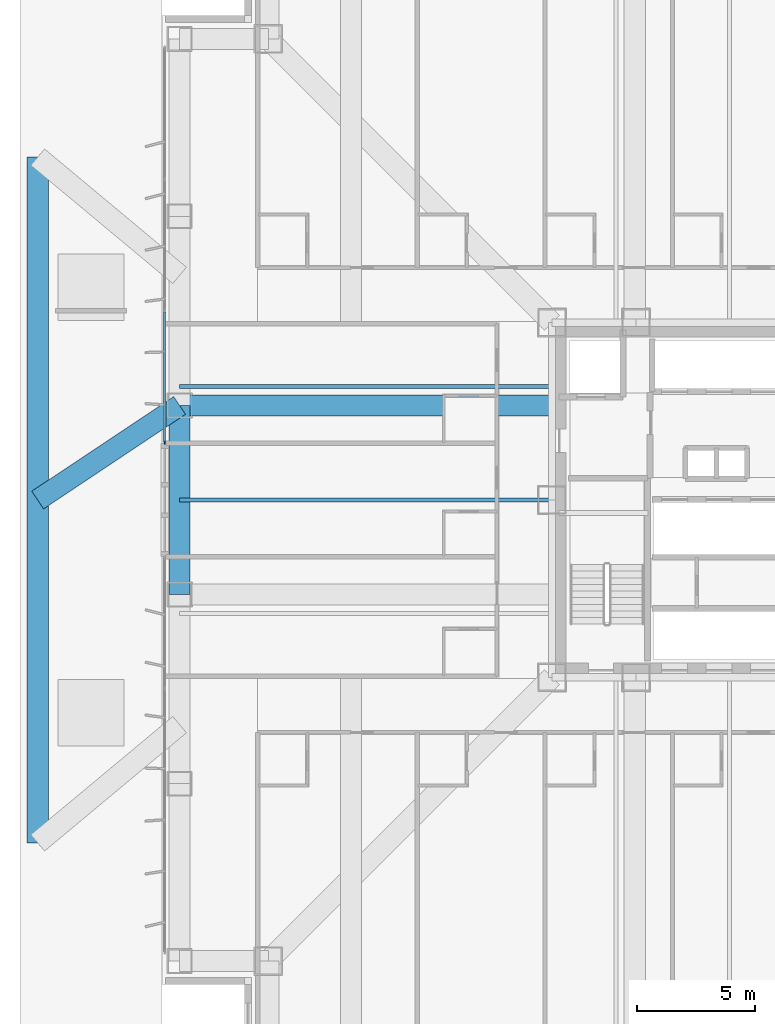
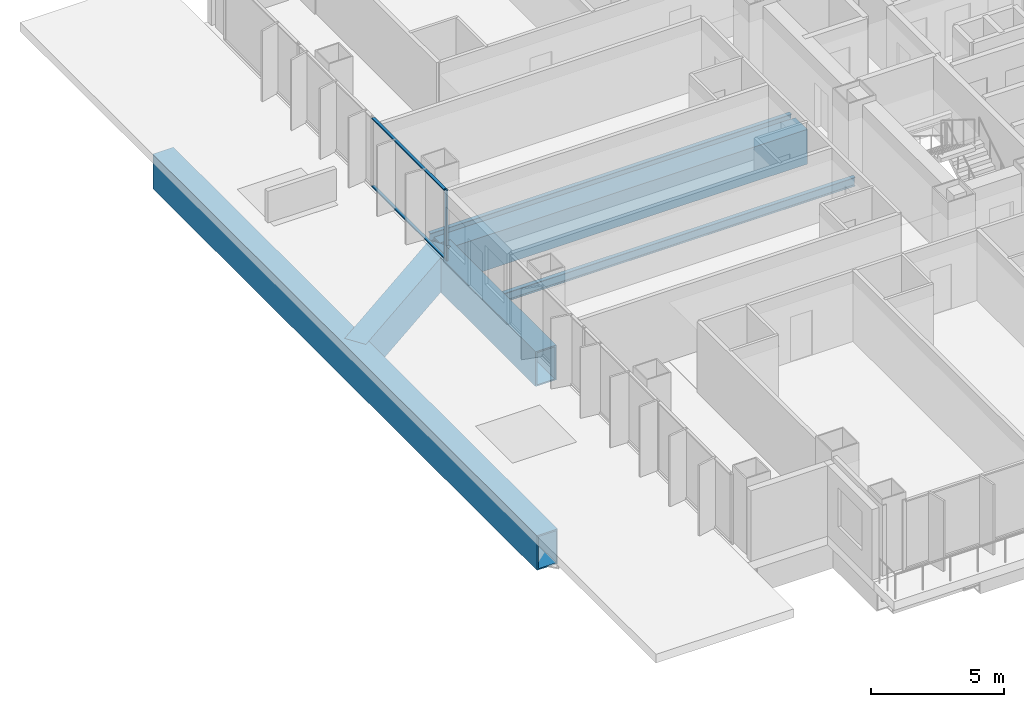
# One storey, part 5 of 24: 6 beams, 3 members, 1 element without a shape of its own.
"""IFC4 building model written with IfcOpenShell, lengths in metres."""

from ifc_helpers import new_model, si_unit, direction, frame, origin, origin_2d, place, context, subcontext, project, spatial, rectangle, hollow_rectangle, i_section, extrude, material, layer, layer_set, material_profile, profile_set, type_object, element, aggregate, save


model = new_model("IFC4")

# Units and contexts
model_context = context("Model", 3, precision=1e-05, world=origin(), true_north=direction((0.0, 1.0)))
body_context = subcontext(model_context, "Body", "Model", "MODEL_VIEW")
ifc_project = project(units=[si_unit("LENGTHUNIT", "METRE"), si_unit("AREAUNIT", "SQUARE_METRE"), si_unit("VOLUMEUNIT", "CUBIC_METRE"), si_unit("PLANEANGLEUNIT", "RADIAN"), si_unit("MASSUNIT", "GRAM", prefix="KILO")], contexts=[model_context])

# Site, building, storey
site_placement = place(None, origin())
site = spatial("IfcSite", under=ifc_project, at=site_placement, CompositionType="ELEMENT")
building_placement = place(site_placement, origin())
building = spatial("IfcBuilding", under=site, at=building_placement, Name="Trevonay Congress Spire", CompositionType="ELEMENT")
storey_placement = place(building_placement, frame((0.0, 0.0, 27.0)))
storey = spatial("IfcBuildingStorey", under=building, at=storey_placement, Name="L05", CompositionType="ELEMENT", Elevation=27.0)

# Beams
ifc_material_1 = material(Name="Steel ASTM A572 Grade 50", Category="steel")
ifc_material_profile_1 = material_profile(ifc_material_1, hollow_rectangle(XDim=0.89990234375, YDim=1.60009765625, WallThickness=0.06005859375, at=origin_2d()), Name="BOX 1600x900x60")
ifc_profile_set_1 = profile_set([ifc_material_profile_1], Name="Steel ASTM A572 Grade 50")
beam_type_1 = type_object("IfcBeamType", Name="BM-RING-BOX1600", PredefinedType="BEAM", material=ifc_profile_set_1)
beam_1_placement = place(storey_placement, frame((-23.25, -4.0, -1.199951171875), z_axis=(0.0, 1.0, 0.0), x_axis=(-1.0, 0.0, 0.0)))
element("IfcBeam", 1, at=beam_1_placement, inside=storey, type_object=beam_type_1, Name="L05 structural beam BM-L05-PW3", PredefinedType="BEAM", context=body_context, shape_type="SweptSolid", body=[
    extrude(hollow_rectangle(XDim=0.89990234375, YDim=1.60009765625, WallThickness=0.06005859375, at=origin_2d()), origin(), (0.0, 0.0, 1.0), 8.0),
])
ifc_material_profile_2 = material_profile(ifc_material_1, hollow_rectangle(XDim=0.89990234375, YDim=1.60009765625, WallThickness=0.06005859375, at=origin_2d()), Name="BOX 1600x900x60")
ifc_profile_set_2 = profile_set([ifc_material_profile_2], Name="Steel ASTM A572 Grade 50")
beam_type_2 = type_object("IfcBeamType", Name="BM-XFER-BOX1600", PredefinedType="BEAM", material=ifc_profile_set_2)
beam_2_placement = place(storey_placement, frame((-29.25, -14.5, -1.199951171875), z_axis=(0.0, 1.0, 0.0), x_axis=(-1.0, 0.0, 0.0)))
element("IfcBeam", 2, at=beam_2_placement, inside=storey, type_object=beam_type_2, Name="L05 structural beam BM-L05T-WL", PredefinedType="BEAM", context=body_context, shape_type="SweptSolid", body=[
    extrude(hollow_rectangle(XDim=0.89990234375, YDim=1.60009765625, WallThickness=0.06005859375, at=origin_2d()), origin(), (0.0, 0.0, 1.0), 29.0),
])
beam_3_placement = place(storey_placement, frame((-23.25, 4.0, -1.199951171875), z_axis=(-0.832050294338, -0.554700196225, 0.0), x_axis=(0.554700196225, -0.832050294338, 0.0)))
element("IfcBeam", 3, at=beam_3_placement, inside=storey, type_object=beam_type_2, Name="L05 structural beam BM-L05T-WC", PredefinedType="BEAM", context=body_context, shape_type="SweptSolid", body=[
    extrude(hollow_rectangle(XDim=0.89990234375, YDim=1.60009765625, WallThickness=0.06005859375, at=origin_2d()), origin(), (0.0, 0.0, 1.0), 7.211181640625),
])
beam_4_placement = place(storey_placement, frame((-7.5, 4.0, -1.199951171875), z_axis=(-1.0, 0.0, 0.0), x_axis=(0.0, -1.0, 0.0)))
element("IfcBeam", 4, at=beam_4_placement, inside=storey, type_object=beam_type_2, Name="L05 structural beam BM-L05-GW-P", PredefinedType="BEAM", context=body_context, shape_type="SweptSolid", body=[
    extrude(hollow_rectangle(XDim=0.89990234375, YDim=1.60009765625, WallThickness=0.06005859375, at=origin_2d()), origin(), (0.0, 0.0, 1.0), 15.75),
])

# Curtain wall, members
ifc_material_2 = material(Name="Pale Anodised Aluminium EN AW-6063-T6", Category="aluminium")
ifc_layer = layer(ifc_material_2, 0.179931640625, Name="Pale Anodised Aluminium EN AW-6063-T6")
ifc_layer_set = layer_set([ifc_layer], Name="Pale Anodised Aluminium EN AW-6063-T6")
curtain_wall_type = type_object("IfcCurtainWallType", Name="CW-SYS02-HOTEL-PALE-METAL", PredefinedType="NOTDEFINED", material=ifc_layer_set)
curtain_wall_placement = place(storey_placement, origin())
curtain_wall = element("IfcCurtainWall", 5, at=curtain_wall_placement, inside=storey, type_object=curtain_wall_type, Name="L05 WB unitised curtain wall", PredefinedType="NOTDEFINED")
ifc_material_profile_3 = material_profile(ifc_material_2, rectangle(XDim=0.06005859375, YDim=0.159912109375, at=origin_2d()), Name="CW-MULLION-160-ALUMINIUM")
ifc_profile_set_3 = profile_set([ifc_material_profile_3], Name="Pale Anodised Aluminium EN AW-6063-T6")
member_type_1 = type_object("IfcMemberType", Name="CW-MULLION-160-ALUMINIUM", PredefinedType="MULLION", material=ifc_profile_set_3)
member_1_placement = place(storey_placement, frame((-23.8798828125, 2.429931640625, 0.0), z_axis=(0.0, 0.0, 1.0), x_axis=(-1.0, 0.0, 0.0)))
member_1 = element("IfcMember", 6, at=member_1_placement, type_object=member_type_1, Name="CW02 mullion 1", PredefinedType="MULLION", context=body_context, shape_type="SweptSolid", body=[
    extrude(rectangle(XDim=0.06005859375, YDim=0.159912109375, at=origin_2d()), origin(), (0.0, 0.0, 1.0), 3.25),
])
ifc_material_profile_4 = material_profile(ifc_material_2, rectangle(XDim=0.1201171875, YDim=0.06005859375, at=origin_2d()), Name="CW-TRANSOM-120-ALUMINIUM")
ifc_profile_set_4 = profile_set([ifc_material_profile_4], Name="Pale Anodised Aluminium EN AW-6063-T6")
member_type_2 = type_object("IfcMemberType", Name="CW-TRANSOM-120-ALUMINIUM", PredefinedType="USERDEFINED", material=ifc_profile_set_4)
member_2_placement = place(storey_placement, frame((-23.8798828125, 2.4599609375, 0.06005859375), z_axis=(0.0, 1.0, 0.0), x_axis=(-1.0, 0.0, 0.0)))
member_2 = element("IfcMember", 7, at=member_2_placement, type_object=member_type_2, Name="CW02 transom 1.1", ObjectType="TRANSOM", PredefinedType="USERDEFINED", context=body_context, shape_type="SweptSolid", body=[
    extrude(rectangle(XDim=0.1201171875, YDim=0.06005859375, at=origin_2d()), origin(), (0.0, 0.0, 1.0), 5.493408203125),
])
member_3_placement = place(storey_placement, frame((-23.8798828125, 2.4599609375, 3.18994140625), z_axis=(0.0, 1.0, 0.0), x_axis=(-1.0, 0.0, 0.0)))
member_3 = element("IfcMember", 8, at=member_3_placement, type_object=member_type_2, Name="CW02 transom 1.2", ObjectType="TRANSOM", PredefinedType="USERDEFINED", context=body_context, shape_type="SweptSolid", body=[
    extrude(rectangle(XDim=0.1201171875, YDim=0.06005859375, at=origin_2d()), origin(), (0.0, 0.0, 1.0), 5.493408203125),
])
aggregate(curtain_wall, [member_1, member_2, member_3])

# Beams
ifc_material_profile_5 = material_profile(ifc_material_1, i_section(OverallWidth=0.177978515625, OverallDepth=0.406982421875, WebThickness=0.0078125, FlangeThickness=0.0126953125, FilletRadius=0.012939453125, at=origin_2d()), Name="W410x60")
ifc_profile_set_5 = profile_set([ifc_material_profile_5], Name="Steel ASTM A572 Grade 50")
beam_type_3 = type_object("IfcBeamType", Name="JS-COMP-W410X60", PredefinedType="JOIST", material=ifc_profile_set_5)
for number, where, z_axis, x_axis, name in (
    (9, (-23.25, 0.0, -0.603515625), (1.0, 0.0, 0.0), (0.0, 1.0, 0.0), "L05 structural beam JS-L05-EW-W2"),
    (10, (-23.25, 4.800048828125, -0.603515625), (1.0, 0.0, 0.0), (0.0, 1.0, 0.0), "L05 structural beam JS-L05-EW-W3"),
):
    element("IfcBeam", number, at=place(storey_placement, frame(where, z_axis=z_axis, x_axis=x_axis)), inside=storey, type_object=beam_type_3, Name=name, PredefinedType="JOIST", context=body_context, shape_type="SweptSolid", body=[
        extrude(i_section(OverallWidth=0.177978515625, OverallDepth=0.406982421875, WebThickness=0.0078125, FlangeThickness=0.0126953125, FilletRadius=0.012939453125, at=origin_2d()), origin(), (0.0, 0.0, 1.0), 15.75),
    ])

save(model, "model.ifc")
